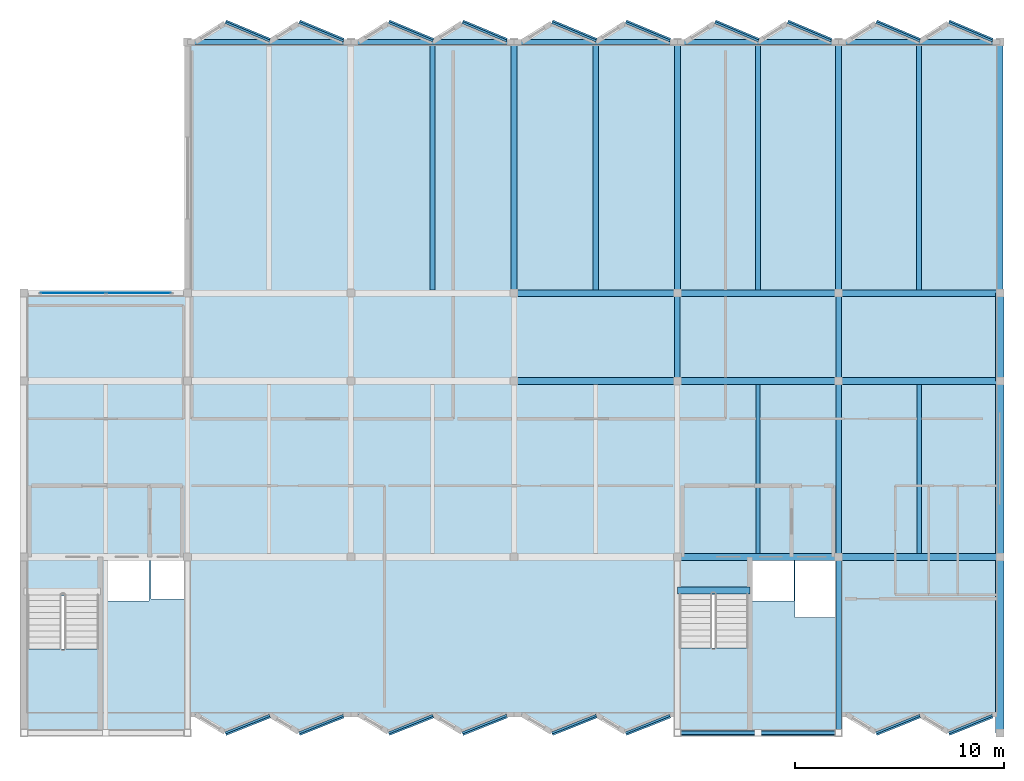
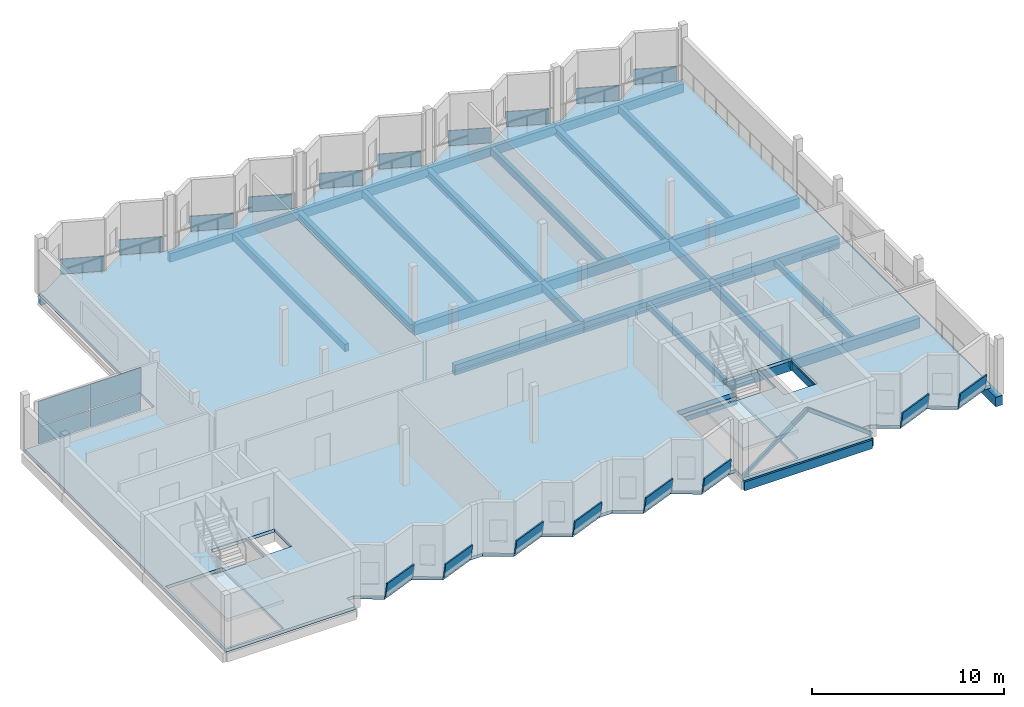
# One storey, part 3 of 11: 32 beams, 22 plates, 3 slabs, 2 members, 3 elements without a shape of their own.
"""IFC4 building model written with IfcOpenShell, lengths in metres."""

import ifcopenshell
import ifcopenshell.guid

model = None  # the IFC model being written
_history = None  # IfcOwnerHistory: only IFC2X3 demands one
_inside = {}  # id of a spatial element -> (the spatial element, [elements in it])
_under = {}  # id of a project, library or spatial element -> (it, [spatial elements below it])
_declared = {}  # id of a project -> (the project, [libraries it declares])
_typed = {}  # id of a type object -> (the type object, [elements of that type])
_made_of = {}  # id of a material, layer set ... -> (it, [elements and type objects made of it])


def new_model(schema):
    """Start an empty IFC model of exactly this schema.

    Asked for "IFC4X3", IfcOpenShell would pick the latest addendum, in which some entities
    have other attributes; the version numbers below select the first issue.
    IFC2X3 requires an IfcOwnerHistory on every rooted entity: one is made here for all.
    """
    global model, _history
    if schema == "IFC4X3":
        model = ifcopenshell.file(schema_version=(4, 3, 0, 0))
    else:
        model = ifcopenshell.file(schema=schema)
    _inside.clear()
    _under.clear()
    _declared.clear()
    _typed.clear()
    _made_of.clear()
    _history = None
    if model.schema == "IFC2X3":
        org = make("IfcOrganization", Name="unknown")
        user = make(
            "IfcPersonAndOrganization",
            ThePerson=make("IfcPerson", FamilyName="unknown"),
            TheOrganization=org,
        )
        app = make(
            "IfcApplication",
            ApplicationDeveloper=org,
            Version="unknown",
            ApplicationFullName="unknown",
            ApplicationIdentifier="unknown",
        )
        _history = make(
            "IfcOwnerHistory",
            OwningUser=user,
            OwningApplication=app,
            ChangeAction="ADDED",
            CreationDate=0,
        )
    return model


def make(cls, **values):
    """One entity of the class cls with the attributes given. An attribute that is None is left unset."""
    return model.create_entity(
        cls, **{name: value for name, value in values.items() if value is not None}
    )


def rooted(cls, **values):
    """An entity with a GlobalId (a new one), such as an element, a storey or a relation."""
    return make(cls, GlobalId=ifcopenshell.guid.new(), OwnerHistory=_history, **values)


def si_unit(unit_type, name, prefix=None):
    """IfcSIUnit, for example si_unit("LENGTHUNIT", "METRE", prefix="MILLI")."""
    return make("IfcSIUnit", UnitType=unit_type, Prefix=prefix, Name=name)


def assignment(units):
    """IfcUnitAssignment: the units of a project."""
    return None if units is None else make("IfcUnitAssignment", Units=units)


def point(xyz):
    """IfcCartesianPoint."""
    return None if xyz is None else make("IfcCartesianPoint", Coordinates=xyz)


def direction(xyz):
    """IfcDirection."""
    return None if xyz is None else make("IfcDirection", DirectionRatios=xyz)


def frame(location, z_axis=None, x_axis=None):
    """IfcAxis2Placement3D, a coordinate frame: its origin and axes. An axis left out is left unset."""
    return make(
        "IfcAxis2Placement3D",
        Location=point(location),
        Axis=direction(z_axis),
        RefDirection=direction(x_axis),
    )


def frame_2d(location, x_axis=None):
    """IfcAxis2Placement2D, a coordinate frame in the plane: its origin and x axis."""
    return make(
        "IfcAxis2Placement2D", Location=point(location), RefDirection=direction(x_axis)
    )


def origin():
    """The frame at (0, 0, 0) with its axes left unset."""
    return frame((0.0, 0.0, 0.0))


def origin_2d():
    """The frame at (0, 0) in the plane with its x axis left unset."""
    return frame_2d((0.0, 0.0))


def place(relative_to, where):
    """IfcLocalPlacement: puts the frame where relative to a parent placement (None: the world)."""
    return make(
        "IfcLocalPlacement", PlacementRelTo=relative_to, RelativePlacement=where
    )


def context(
    kind, dimensions, precision=None, world=None, true_north=None, identifier=None
):
    """IfcGeometricRepresentationContext, for example the 3D "Model" context."""
    return make(
        "IfcGeometricRepresentationContext",
        ContextIdentifier=identifier,
        ContextType=kind,
        CoordinateSpaceDimension=dimensions,
        Precision=precision,
        WorldCoordinateSystem=world,
        TrueNorth=true_north,
    )


def subcontext(parent, identifier, kind, view, scale=None):
    """IfcGeometricRepresentationSubContext, for example "Body" below "Model"."""
    return make(
        "IfcGeometricRepresentationSubContext",
        ContextIdentifier=identifier,
        ContextType=kind,
        ParentContext=parent,
        TargetScale=scale,
        TargetView=view,
    )


def project(units=None, contexts=None):
    """IfcProject with its units and contexts."""
    return rooted(
        "IfcProject",
        Name="project",
        RepresentationContexts=contexts,
        UnitsInContext=assignment(units),
    )


def spatial(cls, under=None, at=None, **own):
    """A site, building, storey or space (cls), placed at a placement, below another one or the project."""
    s = rooted(cls, ObjectPlacement=at, **own)
    if under is not None:
        _under.setdefault(under.id(), (under, []))[1].append(s)
    return s


def polyline(points):
    """IfcPolyline through the points."""
    return make("IfcPolyline", Points=[point(p) for p in points])


def profile(cls, at=None, kind="AREA", **sizes):
    """A parametric profile (cls). Its sizes go by their IFC names, for example OverallWidth=200.0."""
    return make(cls, ProfileType=kind, Position=at, **sizes)


def rectangle(**sizes):
    """IfcRectangleProfileDef."""
    return profile("IfcRectangleProfileDef", **sizes)


def hollow_rectangle(**sizes):
    """IfcRectangleHollowProfileDef."""
    return profile("IfcRectangleHollowProfileDef", **sizes)


def i_section(**sizes):
    """IfcIShapeProfileDef."""
    return profile("IfcIShapeProfileDef", **sizes)


def outline(outer, holes=None, kind="AREA"):
    """IfcArbitraryClosedProfileDef: a profile drawn as a closed curve; with holes, ...WithVoids."""
    if holes is None:
        return make("IfcArbitraryClosedProfileDef", ProfileType=kind, OuterCurve=outer)
    return make(
        "IfcArbitraryProfileDefWithVoids",
        ProfileType=kind,
        OuterCurve=outer,
        InnerCurves=holes,
    )


def extrude(swept, where, along, depth):
    """IfcExtrudedAreaSolid: the profile swept, set in the frame where, extruded along a direction by depth."""
    return make(
        "IfcExtrudedAreaSolid",
        SweptArea=swept,
        Position=where,
        ExtrudedDirection=direction(along),
        Depth=depth,
    )


def shape(context_of_items, identifier, shape_type, items):
    """IfcShapeRepresentation: the items that make up one representation, for example the "Body"."""
    return make(
        "IfcShapeRepresentation",
        ContextOfItems=context_of_items,
        RepresentationIdentifier=identifier,
        RepresentationType=shape_type,
        Items=items,
    )


def material(Name=None, Category=None):
    """IfcMaterial."""
    return make("IfcMaterial", Name=Name, Category=Category)


def layer(
    of_material, thickness, ventilated=None, Name=None, Category=None, Priority=None
):
    """IfcMaterialLayer: one layer of a wall or slab, of a material (None: an air gap)."""
    return make(
        "IfcMaterialLayer",
        Material=of_material,
        LayerThickness=thickness,
        IsVentilated=ventilated,
        Name=Name,
        Category=Category,
        Priority=Priority,
    )


def layer_set(layers, Name=None):
    """IfcMaterialLayerSet."""
    return make("IfcMaterialLayerSet", MaterialLayers=layers, LayerSetName=Name)


def material_profile(
    of_material, cross_section, Name=None, Category=None, Priority=None
):
    """IfcMaterialProfile: a cross section and its material."""
    return make(
        "IfcMaterialProfile",
        Name=Name,
        Material=of_material,
        Profile=cross_section,
        Priority=Priority,
        Category=Category,
    )


def profile_set(profiles, Name=None, composite=None):
    """IfcMaterialProfileSet."""
    return make(
        "IfcMaterialProfileSet",
        Name=Name,
        MaterialProfiles=profiles,
        CompositeProfile=composite,
    )


def made_of(thing, what):
    """Note that an element or type object is made of a material, layer set ...; save() writes the relation."""
    if what is not None:
        _made_of.setdefault(what.id(), (what, []))[1].append(thing)
    return thing


def type_object(cls, material=None, **own):
    """A type object (cls), such as IfcWallType, which elements share."""
    return made_of(rooted(cls, **own), material)


def element(
    cls,
    number,
    at=None,
    inside=None,
    cuts=None,
    type_object=None,
    material=None,
    context=None,
    identifier="Body",
    shape_type=None,
    held_by="IfcProductDefinitionShape",
    body=None,
    shapes=None,
    **own,
):
    """One element of the class cls, such as IfcWall. Its Tag is "e" and its number.

    at: its placement. inside: the storey or other place that contains it. cuts: it is an
    opening in that element (IfcRelVoidsElement). A single representation is given by context,
    identifier, shape_type and body (its items); several are given by shapes. held_by: the class
    of the entity that holds the representations. save() writes the other relations.
    """
    e = rooted(cls, Tag="e%d" % number, ObjectPlacement=at, **own)
    if body is not None:
        shapes = [shape(context, identifier, shape_type, body)]
    if shapes is not None:
        e.Representation = make(held_by, Representations=shapes)
    if inside is not None:
        _inside.setdefault(inside.id(), (inside, []))[1].append(e)
    if cuts is not None:
        rooted(
            "IfcRelVoidsElement", RelatingBuildingElement=cuts, RelatedOpeningElement=e
        )
    if type_object is not None:
        _typed.setdefault(type_object.id(), (type_object, []))[1].append(e)
    return made_of(e, material)


def aggregate(whole, parts):
    """IfcRelAggregates: a whole, such as a stair, and the parts it consists of."""
    return rooted("IfcRelAggregates", RelatingObject=whole, RelatedObjects=parts)


def save(model, path):
    """Write the relations noted so far, then the file.

    IfcRelAggregates (storeys below a building ...), IfcRelContainedInSpatialStructure (elements
    in a storey), IfcRelDefinesByType, IfcRelAssociatesMaterial and IfcRelDeclares: one each for
    every whole, place, type object, material and project.
    """
    for whole, parts in _under.values():
        aggregate(whole, parts)
    for where, things in _inside.values():
        rooted(
            "IfcRelContainedInSpatialStructure",
            RelatedElements=things,
            RelatingStructure=where,
        )
    for kind, things in _typed.values():
        rooted("IfcRelDefinesByType", RelatedObjects=things, RelatingType=kind)
    for what, things in _made_of.values():
        rooted("IfcRelAssociatesMaterial", RelatedObjects=things, RelatingMaterial=what)
    for by, libraries in _declared.values():
        rooted("IfcRelDeclares", RelatingContext=by, RelatedDefinitions=libraries)
    model.write(path)


model = new_model("IFC4")

# Units and contexts
model_context = context("Model", 3, precision=1e-05, world=origin(), true_north=direction((0.0, 1.0)))
body_context = subcontext(model_context, "Body", "Model", "MODEL_VIEW")
ifc_project = project(units=[si_unit("LENGTHUNIT", "METRE"), si_unit("AREAUNIT", "SQUARE_METRE"), si_unit("VOLUMEUNIT", "CUBIC_METRE"), si_unit("PLANEANGLEUNIT", "RADIAN"), si_unit("MASSUNIT", "GRAM", prefix="KILO")], contexts=[model_context])

# Site, building, storey
site_placement = place(None, origin())
site = spatial("IfcSite", under=ifc_project, at=site_placement, CompositionType="ELEMENT")
building_placement = place(site_placement, origin())
building = spatial("IfcBuilding", under=site, at=building_placement, Name="Vharandega Faculty of Natural Sciences", CompositionType="ELEMENT")
storey_placement = place(building_placement, frame((0.0, 0.0, 36.0)))
storey = spatial("IfcBuildingStorey", under=building, at=storey_placement, Name="L09", CompositionType="ELEMENT", Elevation=36.0)

# Beams
ifc_material_1 = material(Name="Glulam GL28h", Category="wood")
ifc_material_profile_1 = material_profile(ifc_material_1, rectangle(XDim=0.260009765625, YDim=0.52001953125, at=origin_2d()), Name="GL28h 260x520")
ifc_profile_set_1 = profile_set([ifc_material_profile_1], Name="Glulam GL28h")
beam_type_1 = type_object("IfcBeamType", Name="Glulam Floor Beam 260x520", PredefinedType="BEAM", material=ifc_profile_set_1)
beam_1_placement = place(storey_placement, frame((146.0, 80.800048828125, -0.4599609375), z_axis=(0.0, 1.0, 0.0), x_axis=(-1.0, 0.0, 0.0)))
element("IfcBeam", 1, at=beam_1_placement, inside=storey, type_object=beam_type_1, Name="Beam L09 19/L-M", PredefinedType="BEAM", context=body_context, shape_type="SweptSolid", body=[
    extrude(rectangle(XDim=0.260009765625, YDim=0.52001953125, at=origin_2d()), origin(), (0.0, 0.0, 1.0), 4.199951171875),
])
beam_2_placement = place(storey_placement, frame((153.699951171875, 64.0, -0.4599609375), z_axis=(0.0, 1.0, 0.0), x_axis=(-1.0, 0.0, 0.0)))
element("IfcBeam", 2, at=beam_2_placement, inside=storey, type_object=beam_type_1, Name="Beam L09 20/J-K", PredefinedType="BEAM", context=body_context, shape_type="SweptSolid", body=[
    extrude(rectangle(XDim=0.260009765625, YDim=0.52001953125, at=origin_2d()), origin(), (0.0, 0.0, 1.0), 8.39990234375),
])
beam_3_placement = place(storey_placement, frame((153.699951171875, 72.39990234375, -0.4599609375), z_axis=(0.0, 1.0, 0.0), x_axis=(-1.0, 0.0, 0.0)))
element("IfcBeam", 3, at=beam_3_placement, inside=storey, type_object=beam_type_1, Name="Beam L09 20/K-L", PredefinedType="BEAM", context=body_context, shape_type="SweptSolid", body=[
    extrude(rectangle(XDim=0.260009765625, YDim=0.52001953125, at=origin_2d()), origin(), (0.0, 0.0, 1.0), 8.400146484375),
])
beam_4_placement = place(storey_placement, frame((153.699951171875, 80.800048828125, -0.4599609375), z_axis=(0.0, 1.0, 0.0), x_axis=(-1.0, 0.0, 0.0)))
element("IfcBeam", 4, at=beam_4_placement, inside=storey, type_object=beam_type_1, Name="Beam L09 20/L-M", PredefinedType="BEAM", context=body_context, shape_type="SweptSolid", body=[
    extrude(rectangle(XDim=0.260009765625, YDim=0.52001953125, at=origin_2d()), origin(), (0.0, 0.0, 1.0), 4.199951171875),
])
ifc_material_2 = material(Name="Glulam GL28h", Category="wood")
ifc_material_profile_2 = material_profile(ifc_material_2, rectangle(XDim=0.320068359375, YDim=0.639892578125, at=origin_2d()), Name="GL28h 320x640")
ifc_profile_set_2 = profile_set([ifc_material_profile_2], Name="Glulam GL28h")
beam_type_2 = type_object("IfcBeamType", Name="Glulam Floor Beam 320x640", PredefinedType="BEAM", material=ifc_profile_set_2)
for number, where, z_axis, x_axis, name in (
    (5, (146.0, 72.39990234375, -0.52001953125), (1.0, 0.0, 0.0), (0.0, 1.0, 0.0), "Beam L09 K/19-20"),
    (6, (153.699951171875, 72.39990234375, -0.52001953125), (1.0, 0.0, 0.0), (0.0, 1.0, 0.0), "Beam L09 K/20-21"),
):
    element("IfcBeam", number, at=place(storey_placement, frame(where, z_axis=z_axis, x_axis=x_axis)), inside=storey, type_object=beam_type_2, Name=name, PredefinedType="BEAM", context=body_context, shape_type="SweptSolid", body=[
        extrude(rectangle(XDim=0.320068359375, YDim=0.639892578125, at=origin_2d()), origin(), (0.0, 0.0, 1.0), 7.699951171875),
    ])
beam_5_placement = place(storey_placement, frame((138.199951171875, 80.800048828125, -0.52001953125), z_axis=(1.0, 0.0, 0.0), x_axis=(0.0, 1.0, 0.0)))
element("IfcBeam", 7, at=beam_5_placement, inside=storey, type_object=beam_type_2, Name="Beam L09 L/18-19", PredefinedType="BEAM", context=body_context, shape_type="SweptSolid", body=[
    extrude(rectangle(XDim=0.320068359375, YDim=0.639892578125, at=origin_2d()), origin(), (0.0, 0.0, 1.0), 7.800048828125),
])
for number, where, z_axis, x_axis, name in (
    (8, (146.0, 80.800048828125, -0.52001953125), (1.0, 0.0, 0.0), (0.0, 1.0, 0.0), "Beam L09 L/19-20"),
    (9, (153.699951171875, 80.800048828125, -0.52001953125), (1.0, 0.0, 0.0), (0.0, 1.0, 0.0), "Beam L09 L/20-21"),
):
    element("IfcBeam", number, at=place(storey_placement, frame(where, z_axis=z_axis, x_axis=x_axis)), inside=storey, type_object=beam_type_2, Name=name, PredefinedType="BEAM", context=body_context, shape_type="SweptSolid", body=[
        extrude(rectangle(XDim=0.320068359375, YDim=0.639892578125, at=origin_2d()), origin(), (0.0, 0.0, 1.0), 7.699951171875),
    ])
beam_6_placement = place(storey_placement, frame((138.199951171875, 85.0, -0.52001953125), z_axis=(1.0, 0.0, 0.0), x_axis=(0.0, 1.0, 0.0)))
element("IfcBeam", 10, at=beam_6_placement, inside=storey, type_object=beam_type_2, Name="Beam L09 M/18-19", PredefinedType="BEAM", context=body_context, shape_type="SweptSolid", body=[
    extrude(rectangle(XDim=0.320068359375, YDim=0.639892578125, at=origin_2d()), origin(), (0.0, 0.0, 1.0), 7.800048828125),
])
for number, where, z_axis, x_axis, name in (
    (11, (146.0, 85.0, -0.52001953125), (1.0, 0.0, 0.0), (0.0, 1.0, 0.0), "Beam L09 M/19-20"),
    (12, (153.699951171875, 85.0, -0.52001953125), (1.0, 0.0, 0.0), (0.0, 1.0, 0.0), "Beam L09 M/20-21"),
):
    element("IfcBeam", number, at=place(storey_placement, frame(where, z_axis=z_axis, x_axis=x_axis)), inside=storey, type_object=beam_type_2, Name=name, PredefinedType="BEAM", context=body_context, shape_type="SweptSolid", body=[
        extrude(rectangle(XDim=0.320068359375, YDim=0.639892578125, at=origin_2d()), origin(), (0.0, 0.0, 1.0), 7.699951171875),
    ])
ifc_material_3 = material(Name="Glulam GL28h", Category="wood")
ifc_material_profile_3 = material_profile(ifc_material_3, rectangle(XDim=0.199951171875, YDim=0.39990234375, at=origin_2d()), Name="GL28h 200x400")
ifc_profile_set_3 = profile_set([ifc_material_profile_3], Name="Glulam GL28h")
beam_type_3 = type_object("IfcBeamType", Name="Glulam Secondary Joist 200x400", PredefinedType="JOIST", material=ifc_profile_set_3)
for number, where, z_axis, x_axis, name in (
    (13, (149.85009765625, 72.56005859375, -0.39990234375), (0.0, 1.0, 0.0), (-1.0, 0.0, 0.0), "Secondary Joist L09 19-20/K-L"),
    (14, (157.550048828125, 72.56005859375, -0.39990234375), (0.0, 1.0, 0.0), (-1.0, 0.0, 0.0), "Secondary Joist L09 20-21/K-L"),
):
    element("IfcBeam", number, at=place(storey_placement, frame(where, z_axis=z_axis, x_axis=x_axis)), inside=storey, type_object=beam_type_3, Name=name, PredefinedType="JOIST", context=body_context, shape_type="SweptSolid", body=[
        extrude(rectangle(XDim=0.199951171875, YDim=0.39990234375, at=origin_2d()), origin(), (0.0, 0.0, 1.0), 8.079833984375),
    ])
ifc_material_4 = material(Name="Glulam GL28h", Category="wood")
ifc_material_profile_4 = material_profile(ifc_material_4, rectangle(XDim=0.239990234375, YDim=0.47998046875, at=origin_2d()), Name="GL28h 240x480")
ifc_profile_set_4 = profile_set([ifc_material_profile_4], Name="Glulam GL28h")
beam_type_4 = type_object("IfcBeamType", Name="Glulam Secondary Joist 240x480", PredefinedType="JOIST", material=ifc_profile_set_4)
for number, where, z_axis, x_axis, name in (
    (15, (134.300048828125, 85.159912109375, -0.43994140625), (0.0, 1.0, 0.0), (-1.0, 0.0, 0.0), "Secondary Joist L09 17-18/M-N"),
    (16, (142.10009765625, 85.159912109375, -0.43994140625), (0.0, 1.0, 0.0), (-1.0, 0.0, 0.0), "Secondary Joist L09 18-19/M-N"),
    (17, (149.85009765625, 85.159912109375, -0.43994140625), (0.0, 1.0, 0.0), (-1.0, 0.0, 0.0), "Secondary Joist L09 19-20/M-N"),
    (18, (157.550048828125, 85.159912109375, -0.43994140625), (0.0, 1.0, 0.0), (-1.0, 0.0, 0.0), "Secondary Joist L09 20-21/M-N"),
):
    element("IfcBeam", number, at=place(storey_placement, frame(where, z_axis=z_axis, x_axis=x_axis)), inside=storey, type_object=beam_type_4, Name=name, PredefinedType="JOIST", context=body_context, shape_type="SweptSolid", body=[
        extrude(rectangle(XDim=0.239990234375, YDim=0.47998046875, at=origin_2d()), origin(), (0.0, 0.0, 1.0), 11.719970703125),
    ])
ifc_material_5 = material(Name="Glulam GL28h", Category="wood")
ifc_material_profile_5 = material_profile(ifc_material_5, rectangle(XDim=0.239990234375, YDim=0.56005859375, at=origin_2d()), Name="GL28h 240x560")
ifc_profile_set_5 = profile_set([ifc_material_profile_5], Name="Glulam GL28h")
beam_type_5 = type_object("IfcBeamType", Name="Glulam Spandrel Edge Beam 240x560", PredefinedType="SPANDREL", material=ifc_profile_set_5)
beam_7_placement = place(storey_placement, frame((146.0, 64.0, -0.47998046875), z_axis=(1.0, 0.0, 0.0), x_axis=(0.0, 1.0, 0.0)))
element("IfcBeam", 19, at=beam_7_placement, inside=storey, type_object=beam_type_5, Name="Beam L09 J/19-20", PredefinedType="SPANDREL", context=body_context, shape_type="SweptSolid", body=[
    extrude(rectangle(XDim=0.239990234375, YDim=0.56005859375, at=origin_2d()), origin(), (0.0, 0.0, 1.0), 7.699951171875),
])
beam_8_placement = place(storey_placement, frame((122.60009765625, 97.0, -0.47998046875), z_axis=(1.0, 0.0, 0.0), x_axis=(0.0, 1.0, 0.0)))
element("IfcBeam", 20, at=beam_8_placement, inside=storey, type_object=beam_type_5, Name="Beam L09 N/16-17", PredefinedType="SPANDREL", context=body_context, shape_type="SweptSolid", body=[
    extrude(rectangle(XDim=0.239990234375, YDim=0.56005859375, at=origin_2d()), origin(), (0.0, 0.0, 1.0), 7.7998046875),
])
for number, where, z_axis, x_axis, name in (
    (21, (130.39990234375, 97.0, -0.47998046875), (1.0, 0.0, 0.0), (0.0, 1.0, 0.0), "Beam L09 N/17-18"),
    (22, (138.199951171875, 97.0, -0.47998046875), (1.0, 0.0, 0.0), (0.0, 1.0, 0.0), "Beam L09 N/18-19"),
):
    element("IfcBeam", number, at=place(storey_placement, frame(where, z_axis=z_axis, x_axis=x_axis)), inside=storey, type_object=beam_type_5, Name=name, PredefinedType="SPANDREL", context=body_context, shape_type="SweptSolid", body=[
        extrude(rectangle(XDim=0.239990234375, YDim=0.56005859375, at=origin_2d()), origin(), (0.0, 0.0, 1.0), 7.800048828125),
    ])
for number, where, z_axis, x_axis, name in (
    (23, (146.0, 97.0, -0.47998046875), (1.0, 0.0, 0.0), (0.0, 1.0, 0.0), "Beam L09 N/19-20"),
    (24, (153.699951171875, 97.0, -0.47998046875), (1.0, 0.0, 0.0), (0.0, 1.0, 0.0), "Beam L09 N/20-21"),
):
    element("IfcBeam", number, at=place(storey_placement, frame(where, z_axis=z_axis, x_axis=x_axis)), inside=storey, type_object=beam_type_5, Name=name, PredefinedType="SPANDREL", context=body_context, shape_type="SweptSolid", body=[
        extrude(rectangle(XDim=0.239990234375, YDim=0.56005859375, at=origin_2d()), origin(), (0.0, 0.0, 1.0), 7.699951171875),
    ])
ifc_material_6 = material(Name="Glulam GL32h", Category="wood")
ifc_material_profile_6 = material_profile(ifc_material_6, rectangle(XDim=0.39990234375, YDim=0.60009765625, at=origin_2d()), Name="GL32h 400x600")
ifc_profile_set_6 = profile_set([ifc_material_profile_6], Name="Glulam GL32h")
beam_type_6 = type_object("IfcBeamType", Name="Glulam Spine Girder 400x600", PredefinedType="BEAM", material=ifc_profile_set_6)
beam_9_placement = place(storey_placement, frame((161.39990234375, 64.0, -0.5), z_axis=(0.0, 1.0, 0.0), x_axis=(-1.0, 0.0, 0.0)))
element("IfcBeam", 25, at=beam_9_placement, inside=storey, type_object=beam_type_6, Name="Beam L09 21/J-K", PredefinedType="BEAM", context=body_context, shape_type="SweptSolid", body=[
    extrude(rectangle(XDim=0.39990234375, YDim=0.60009765625, at=origin_2d()), origin(), (0.0, 0.0, 1.0), 8.39990234375),
])
beam_10_placement = place(storey_placement, frame((161.39990234375, 72.39990234375, -0.5), z_axis=(0.0, 1.0, 0.0), x_axis=(-1.0, 0.0, 0.0)))
element("IfcBeam", 26, at=beam_10_placement, inside=storey, type_object=beam_type_6, Name="Beam L09 21/K-L", PredefinedType="BEAM", context=body_context, shape_type="SweptSolid", body=[
    extrude(rectangle(XDim=0.39990234375, YDim=0.60009765625, at=origin_2d()), origin(), (0.0, 0.0, 1.0), 8.400146484375),
])
beam_11_placement = place(storey_placement, frame((161.39990234375, 80.800048828125, -0.5), z_axis=(0.0, 1.0, 0.0), x_axis=(-1.0, 0.0, 0.0)))
element("IfcBeam", 27, at=beam_11_placement, inside=storey, type_object=beam_type_6, Name="Beam L09 21/L-M", PredefinedType="BEAM", context=body_context, shape_type="SweptSolid", body=[
    extrude(rectangle(XDim=0.39990234375, YDim=0.60009765625, at=origin_2d()), origin(), (0.0, 0.0, 1.0), 4.199951171875),
])
ifc_material_7 = material(Name="Concrete C40/50", Category="concrete")
ifc_material_profile_7 = material_profile(ifc_material_7, rectangle(XDim=0.35009765625, YDim=0.550048828125, at=origin_2d()), Name="RC 350x550")
ifc_profile_set_7 = profile_set([ifc_material_profile_7], Name="Concrete C40/50")
beam_type_7 = type_object("IfcBeamType", Name="Stair Header Trimmer Beam 350x550", PredefinedType="BEAM", material=ifc_profile_set_7)
beam_12_placement = place(storey_placement, frame((146.0, 70.800048828125, -0.27490234375), z_axis=(1.0, 0.0, 0.0), x_axis=(0.0, 1.0, 0.0)))
element("IfcBeam", 28, at=beam_12_placement, inside=storey, type_object=beam_type_7, Name="Stair Landing Trimmer Beam C2 L09", PredefinedType="BEAM", context=body_context, shape_type="SweptSolid", body=[
    extrude(rectangle(XDim=0.35009765625, YDim=0.550048828125, at=origin_2d()), origin(), (0.0, 0.0, 1.0), 3.4599609375),
])
ifc_material_8 = material(Name="Steel S355", Category="steel")
ifc_material_profile_8 = material_profile(ifc_material_8, i_section(OverallWidth=0.300048828125, OverallDepth=0.5, WebThickness=0.014404296875, FlangeThickness=0.028076171875, FilletRadius=0.027099609375, at=origin_2d()), Name="HEB 500")
ifc_profile_set_8 = profile_set([ifc_material_profile_8], Name="Steel S355")
beam_type_8 = type_object("IfcBeamType", Name="Steel Collector Beam HEB 500", PredefinedType="BEAM", material=ifc_profile_set_8)
for number, where, z_axis, x_axis, name in (
    (29, (138.199951171875, 85.0, -0.449951171875), (0.0, 1.0, 0.0), (-1.0, 0.0, 0.0), "Beam L09 18/M-N"),
    (30, (146.0, 85.0, -0.449951171875), (0.0, 1.0, 0.0), (-1.0, 0.0, 0.0), "Beam L09 19/M-N"),
    (31, (153.699951171875, 85.0, -0.449951171875), (0.0, 1.0, 0.0), (-1.0, 0.0, 0.0), "Beam L09 20/M-N"),
    (32, (161.39990234375, 85.0, -0.449951171875), (0.0, 1.0, 0.0), (-1.0, 0.0, 0.0), "Beam L09 21/M-N"),
):
    element("IfcBeam", number, at=place(storey_placement, frame(where, z_axis=z_axis, x_axis=x_axis)), inside=storey, type_object=beam_type_8, Name=name, PredefinedType="BEAM", context=body_context, shape_type="SweptSolid", body=[
        extrude(i_section(OverallWidth=0.300048828125, OverallDepth=0.5, WebThickness=0.014404296875, FlangeThickness=0.028076171875, FilletRadius=0.027099609375, at=origin_2d()), origin(), (0.0, 0.0, 1.0), 12.0),
    ])

# Members
ifc_material_9 = material(Name="Steel S355", Category="steel")
ifc_material_profile_9 = material_profile(ifc_material_9, hollow_rectangle(XDim=0.179931640625, YDim=0.179931640625, WallThickness=0.010009765625, at=origin_2d()), Name="SHS 180x180x10")
ifc_profile_set_9 = profile_set([ifc_material_profile_9], Name="Steel S355")
member_type = type_object("IfcMemberType", Name="Timber Frame Diagonal Brace SHS 180", PredefinedType="BRACE", material=ifc_profile_set_9)
for number, where, z_axis, x_axis, name in (
    (33, (146.0, 64.0, 0.14990234375), (0.798746196902, 0.0, 0.601668108624), (0.0, 1.0, 0.0), "Chevron Brace J2 L09-1"),
    (34, (153.699951171875, 64.0, 0.14990234375), (-0.798727860359, 0.0, 0.601692450581), (0.0, -1.0, 0.0), "Chevron Brace J2 L09-2"),
):
    element("IfcMember", number, at=place(storey_placement, frame(where, z_axis=z_axis, x_axis=x_axis)), inside=storey, type_object=member_type, Name=name, PredefinedType="BRACE", context=body_context, shape_type="SweptSolid", body=[
        extrude(hollow_rectangle(XDim=0.179931640625, YDim=0.179931640625, WallThickness=0.010009765625, at=origin_2d()), origin(), (0.0, 0.0, 1.0), 4.820068359375),
    ])

# Curtain wall, plates
ifc_material_10 = material(Name="Aluminium and solar-control glass curtain wall", Category="aluminium")
curtain_wall_type = type_object("IfcCurtainWallType", Name="Unitised Curtain Wall System CW-03", PredefinedType="NOTDEFINED", material=ifc_material_10)
curtain_wall_placement = place(storey_placement, origin())
curtain_wall = element("IfcCurtainWall", 35, at=curtain_wall_placement, inside=storey, type_object=curtain_wall_type, Name="Curtain Wall CW-L09-030", PredefinedType="NOTDEFINED")
ifc_material_11 = material(Name="Double-glazed low-E solar glass", Category="glass")
ifc_layer_1 = layer(ifc_material_11, 0.028076171875, Name="Double-glazed low-E solar glass")
ifc_layer_set_1 = layer_set([ifc_layer_1], Name="Double-glazed low-E solar glass")
plate_type_1 = type_object("IfcPlateType", Name="CW Solar Vision Panel 28mm", PredefinedType="CURTAIN_PANEL", material=ifc_layer_set_1)
plate_1_placement = place(storey_placement, frame((117.135009765625, 85.0, 0.06005859375), z_axis=(0.0, 0.0, 1.0), x_axis=(1.0, 0.0, 0.0)))
plate_1 = element("IfcPlate", 36, at=plate_1_placement, type_object=plate_type_1, Name="CW-03 panel 1.1", PredefinedType="CURTAIN_PANEL", context=body_context, shape_type="SweptSolid", body=[
    extrude(rectangle(XDim=3.070068359375, YDim=0.028076171875, at=origin_2d()), origin(), (0.0, 0.0, 1.0), 1.102783203125),
])
plate_2_placement = place(storey_placement, frame((117.135009765625, 85.0, 1.222900390625), z_axis=(0.0, 0.0, 1.0), x_axis=(1.0, 0.0, 0.0)))
plate_2 = element("IfcPlate", 37, at=plate_2_placement, type_object=plate_type_1, Name="CW-03 panel 1.2", PredefinedType="CURTAIN_PANEL", context=body_context, shape_type="SweptSolid", body=[
    extrude(rectangle(XDim=3.070068359375, YDim=0.028076171875, at=origin_2d()), origin(), (0.0, 0.0, 1.0), 1.55712890625),
])
plate_3_placement = place(storey_placement, frame((120.264892578125, 85.0, 0.06005859375), z_axis=(0.0, 0.0, 1.0), x_axis=(1.0, 0.0, 0.0)))
plate_3 = element("IfcPlate", 38, at=plate_3_placement, type_object=plate_type_1, Name="CW-03 panel 2.1", PredefinedType="CURTAIN_PANEL", context=body_context, shape_type="SweptSolid", body=[
    extrude(rectangle(XDim=3.070068359375, YDim=0.028076171875, at=origin_2d()), origin(), (0.0, 0.0, 1.0), 1.102783203125),
])
plate_4_placement = place(storey_placement, frame((120.264892578125, 85.0, 1.222900390625), z_axis=(0.0, 0.0, 1.0), x_axis=(1.0, 0.0, 0.0)))
plate_4 = element("IfcPlate", 39, at=plate_4_placement, type_object=plate_type_1, Name="CW-03 panel 2.2", PredefinedType="CURTAIN_PANEL", context=body_context, shape_type="SweptSolid", body=[
    extrude(rectangle(XDim=3.070068359375, YDim=0.028076171875, at=origin_2d()), origin(), (0.0, 0.0, 1.0), 1.55712890625),
])
aggregate(curtain_wall, [plate_1, plate_2, plate_3, plate_4])

# Slab
ifc_material_12 = material(Name="Cross-laminated timber CLT5-180", Category="wood")
ifc_layer_2 = layer(ifc_material_12, 0.199951171875, Name="Cross-laminated timber CLT5-180")
ifc_layer_set_2 = layer_set([ifc_layer_2], Name="Cross-laminated timber CLT5-180")
slab_type_1 = type_object("IfcSlabType", Name="SLAB-CLT-200", PredefinedType="FLOOR", material=ifc_layer_set_2)
slab_1_placement = place(storey_placement, frame((0.0, 0.0, -0.199951171875)))
element("IfcSlab", 40, at=slab_1_placement, inside=storey, type_object=slab_type_1, Name="L09 V4 Floor Slab", PredefinedType="FLOOR", context=body_context, shape_type="SweptSolid", body=[
    extrude(outline(polyline([(114.800048828125, 64.0), (122.60009765625, 64.0), (122.60009765625, 64.8798828125), (122.97998046875, 64.8798828125), (124.387939453125, 64.0400390625), (126.5, 64.8798828125), (126.5, 64.8798828125), (127.907958984375, 64.0400390625), (130.02001953125, 64.8798828125), (130.780029296875, 64.8798828125), (132.18798828125, 64.0400390625), (134.300048828125, 64.8798828125), (134.300048828125, 64.8798828125), (135.7080078125, 64.0400390625), (137.820068359375, 64.8798828125), (138.580078125, 64.8798828125), (139.988037109375, 64.0400390625), (142.10009765625, 64.8798828125), (142.10009765625, 64.8798828125), (143.508056640625, 64.0400390625), (145.6201171875, 64.8798828125), (146.0, 64.8798828125), (146.0, 64.0), (153.699951171875, 64.0), (153.699951171875, 64.8798828125), (154.080078125, 64.8798828125), (155.468017578125, 64.0400390625), (157.550048828125, 64.8798828125), (157.550048828125, 64.8798828125), (158.93798828125, 64.0400390625), (161.02001953125, 64.8798828125), (161.39990234375, 64.8798828125), (161.39990234375, 64.0), (161.39990234375, 97.0), (161.02001953125, 97.0), (158.93798828125, 97.8798828125), (157.550048828125, 97.0), (157.550048828125, 97.0), (155.468017578125, 97.8798828125), (154.080078125, 97.0), (153.320068359375, 97.0), (151.238037109375, 97.8798828125), (149.85009765625, 97.0), (149.85009765625, 97.0), (147.76806640625, 97.8798828125), (146.3798828125, 97.0), (145.6201171875, 97.0), (143.508056640625, 97.8798828125), (142.10009765625, 97.0), (142.10009765625, 97.0), (139.988037109375, 97.8798828125), (138.580078125, 97.0), (137.820068359375, 97.0), (135.7080078125, 97.8798828125), (134.300048828125, 97.0), (134.300048828125, 97.0), (132.18798828125, 97.8798828125), (130.780029296875, 97.0), (130.02001953125, 97.0), (127.907958984375, 97.8798828125), (126.5, 97.0), (126.5, 97.0), (124.387939453125, 97.8798828125), (122.97998046875, 97.0), (122.60009765625, 97.0), (122.60009765625, 85.0), (114.800048828125, 85.0), (114.800048828125, 64.0)]), holes=[polyline([(114.93994140625, 70.544921875), (114.93994140625, 64.139892578125), (118.360107421875, 64.139892578125), (118.360107421875, 70.544921875), (114.93994140625, 70.544921875)]), polyline([(118.64990234375, 70.300048828125), (120.75, 70.300048828125), (120.75, 72.219970703125), (118.64990234375, 72.219970703125), (118.64990234375, 70.300048828125)]), polyline([(120.85009765625, 70.39990234375), (122.47998046875, 70.39990234375), (122.47998046875, 72.219970703125), (120.85009765625, 72.219970703125), (120.85009765625, 70.39990234375)]), polyline([(146.06005859375, 70.594970703125), (146.06005859375, 64.139892578125), (149.3798828125, 64.139892578125), (149.3798828125, 70.594970703125), (146.06005859375, 70.594970703125)]), polyline([(149.449951171875, 70.300048828125), (151.570068359375, 70.300048828125), (151.570068359375, 72.219970703125), (149.449951171875, 72.219970703125), (149.449951171875, 70.300048828125)]), polyline([(151.6201171875, 69.5), (153.639892578125, 69.5), (153.639892578125, 72.219970703125), (151.6201171875, 72.219970703125), (151.6201171875, 69.5)])]), origin(), (0.0, 0.0, 1.0), 0.199951171875),
])

# Plates
ifc_material_13 = material(Name="White precast concrete C40/50", Category="concrete")
ifc_layer_3 = layer(ifc_material_13, 0.080078125, Name="White precast concrete C40/50")
ifc_layer_set_3 = layer_set([ifc_layer_3], Name="White precast concrete C40/50")
plate_type_2 = type_object("IfcPlateType", Name="Sawtooth Tilted White Precast Prism 80", PredefinedType="USERDEFINED", material=ifc_layer_set_3)
for number, where, z_axis, x_axis, name in (
    (41, (124.387939453125, 97.8798828125, 0.0), (-0.38213008843, -0.917133415176, 0.113326494182), (0.043508814605, 0.104641694763, 0.993557798404), "Sawtooth Tilted Precast Prism L09 N01"),
    (42, (127.907958984375, 97.8798828125, 0.0), (-0.38213008843, -0.917133415176, 0.113326494182), (0.043508814605, 0.104641694763, 0.993557798404), "Sawtooth Tilted Precast Prism L09 N02"),
    (43, (132.18798828125, 97.8798828125, 0.0), (-0.38213008843, -0.917133415176, 0.113326494182), (0.043508814605, 0.104641694763, 0.993557798404), "Sawtooth Tilted Precast Prism L09 N03"),
    (44, (135.7080078125, 97.8798828125, 0.0), (-0.38213008843, -0.917133415176, 0.113326494182), (0.043508814605, 0.104641694763, 0.993557798404), "Sawtooth Tilted Precast Prism L09 N04"),
    (45, (139.988037109375, 97.8798828125, 0.0), (-0.38213008843, -0.917133415176, 0.113326494182), (0.043508814605, 0.104641694763, 0.993557798404), "Sawtooth Tilted Precast Prism L09 N05"),
    (46, (143.508056640625, 97.8798828125, 0.0), (-0.38213008843, -0.917133415176, 0.113326494182), (0.043508814605, 0.104641694763, 0.993557798404), "Sawtooth Tilted Precast Prism L09 N06"),
):
    element("IfcPlate", number, at=place(storey_placement, frame(where, z_axis=z_axis, x_axis=x_axis)), inside=storey, type_object=plate_type_2, Name=name, ObjectType="FACADE PRISM", PredefinedType="USERDEFINED", context=body_context, shape_type="SweptSolid", body=[
        extrude(outline(polyline([(0.0, 0.0), (0.8856007183018657, -3.821812658011403e-18), (0.8853959930890345, -2.288104707577155), (-0.00017917792407083633, -2.2880108113294035), (0.0, 0.0)])), origin(), (0.0, 0.0, -1.0), 0.080078125),
    ])
plate_5_placement = place(storey_placement, frame((147.76806640625, 97.8798828125, 0.0), z_axis=(-0.386817749414, -0.915184288252, 0.113180154068), x_axis=(0.043784739317, 0.104368261997, 0.993574437317)))
element("IfcPlate", 47, at=plate_5_placement, inside=storey, type_object=plate_type_2, Name="Sawtooth Tilted Precast Prism L09 N07", ObjectType="FACADE PRISM", PredefinedType="USERDEFINED", context=body_context, shape_type="SweptSolid", body=[
    extrude(outline(polyline([(0.0, 0.0), (0.8855858439795705, -2.168404344971009e-19), (0.8848897190759801, -2.260415245596067), (-0.0006706443708762028, -2.2603202046314035), (0.0, 0.0)])), origin(), (0.0, 0.0, -1.0), 0.080078125),
])
plate_6_placement = place(storey_placement, frame((151.238037109375, 97.8798828125, 0.0), z_axis=(-0.386834642075, -0.915170595171, 0.113233128658), x_axis=(0.04403926033, 0.104318203212, 0.993568445568)))
element("IfcPlate", 48, at=plate_6_placement, inside=storey, type_object=plate_type_2, Name="Sawtooth Tilted Precast Prism L09 N08", ObjectType="FACADE PRISM", PredefinedType="USERDEFINED", context=body_context, shape_type="SweptSolid", body=[
    extrude(outline(polyline([(0.0, 0.0), (0.8855965718986443, -2.9205696021328276e-18), (0.8854636740121182, -2.2601904741535517), (-9.667780265362746e-05, -2.260320299228002), (0.0, 0.0)])), origin(), (0.0, 0.0, -1.0), 0.080078125),
])
for number, where, z_axis, x_axis, name in (
    (49, (155.468017578125, 97.8798828125, 0.0), (-0.386813048349, -0.915173165855, 0.113286107384), (0.044059889025, 0.104366999659, 0.993562406475), "Sawtooth Tilted Precast Prism L09 N09"),
    (50, (158.93798828125, 97.8798828125, 0.0), (-0.386813048349, -0.915173165855, 0.113286107384), (0.044059889025, 0.104366999659, 0.993562406475), "Sawtooth Tilted Precast Prism L09 N10"),
):
    element("IfcPlate", number, at=place(storey_placement, frame(where, z_axis=z_axis, x_axis=x_axis)), inside=storey, type_object=plate_type_2, Name=name, ObjectType="FACADE PRISM", PredefinedType="USERDEFINED", context=body_context, shape_type="SweptSolid", body=[
        extrude(outline(polyline([(0.0, 0.0), (0.885596579114325, -4.126744519022951e-18), (0.8854744355192941, -2.260415349486517), (-9.666337050474871e-05, -2.2603203020557325), (0.0, 0.0)])), origin(), (0.0, 0.0, -1.0), 0.080078125),
    ])
for number, where, z_axis, x_axis, name in (
    (51, (126.5, 64.8798828125, 0.0), (-0.367171311911, 0.923237616435, 0.113214536648), (0.041951531837, -0.10515519478, 0.993570558132), "Sawtooth Tilted Precast Prism L09 S01"),
    (52, (130.02001953125, 64.8798828125, 0.0), (-0.367171311911, 0.923237616435, 0.113214536648), (0.041951531837, -0.10515519478, 0.993570558132), "Sawtooth Tilted Precast Prism L09 S02"),
    (53, (134.300048828125, 64.8798828125, 0.0), (-0.367171311911, 0.923237616435, 0.113214536648), (0.041951531837, -0.10515519478, 0.993570558132), "Sawtooth Tilted Precast Prism L09 S03"),
    (54, (137.820068359375, 64.8798828125, 0.0), (-0.367171311911, 0.923237616435, 0.113214536648), (0.041951531837, -0.10515519478, 0.993570558132), "Sawtooth Tilted Precast Prism L09 S04"),
    (55, (142.10009765625, 64.8798828125, 0.0), (-0.367171311911, 0.923237616435, 0.113214536648), (0.041951531837, -0.10515519478, 0.993570558132), "Sawtooth Tilted Precast Prism L09 S05"),
):
    element("IfcPlate", number, at=place(storey_placement, frame(where, z_axis=z_axis, x_axis=x_axis)), inside=storey, type_object=plate_type_2, Name=name, ObjectType="FACADE PRISM", PredefinedType="USERDEFINED", context=body_context, shape_type="SweptSolid", body=[
        extrude(outline(polyline([(0.0, 0.0), (0.8855637337790956, 5.339695699491109e-18), (0.8852991642756181, -2.2730040331997645), (-0.0002902421584531911, -2.2729138085590064), (0.0, 0.0)])), origin(), (0.0, 0.0, -1.0), 0.080078125),
    ])
plate_7_placement = place(storey_placement, frame((145.6201171875, 64.8798828125, 0.0), z_axis=(-0.367191753184, 0.923235652062, 0.113164248576), x_axis=(0.041694910845, -0.105203136477, 0.993576285187)))
element("IfcPlate", 56, at=plate_7_placement, inside=storey, type_object=plate_type_2, Name="Sawtooth Tilted Precast Prism L09 S06", ObjectType="FACADE PRISM", PredefinedType="USERDEFINED", context=body_context, shape_type="SweptSolid", body=[
    extrude(outline(polyline([(0.0, 0.0), (0.8855535298700004, 3.130633773051894e-18), (0.8858814141010081, -2.272777170195068), (0.00029202044992326925, -2.272913805666767), (0.0, 0.0)])), origin(), (0.0, 0.0, -1.0), 0.080078125),
])
plate_8_placement = place(storey_placement, frame((157.550048828125, 64.8798828125, 0.0), z_axis=(-0.371753343199, 0.921414513626, 0.113113862546), x_axis=(0.042247493707, -0.10492807804, 0.993582028679)))
element("IfcPlate", 57, at=plate_8_placement, inside=storey, type_object=plate_type_2, Name="Sawtooth Tilted Precast Prism L09 S07", ObjectType="FACADE PRISM", PredefinedType="USERDEFINED", context=body_context, shape_type="SweptSolid", body=[
    extrude(outline(polyline([(0.0, 0.0), (0.8855483807500657, 1.1926223897340549e-18), (0.8857469006956997, -2.2449020398239097), (0.00016258840956297205, -2.245037104155892), (0.0, 0.0)])), origin(), (0.0, 0.0, -1.0), 0.080078125),
])
plate_9_placement = place(storey_placement, frame((161.02001953125, 64.8798828125, 0.0), z_axis=(-0.371732429173, 0.921416699894, 0.113164774806), x_axis=(0.042503638669, -0.104879636127, 0.993576218831)))
element("IfcPlate", 58, at=plate_9_placement, inside=storey, type_object=plate_type_2, Name="Sawtooth Tilted Precast Prism L09 S08", ObjectType="FACADE PRISM", PredefinedType="USERDEFINED", context=body_context, shape_type="SweptSolid", body=[
    extrude(outline(polyline([(0.0, 0.0), (0.8855587194211085, 1.6805133673525319e-18), (0.8851729277563166, -2.2451284213747997), (-0.0004113970447056914, -2.2450370750818083), (0.0, 0.0)])), origin(), (0.0, 0.0, -1.0), 0.080078125),
])

# Stair, slab
ifc_material_14 = material(Name="Concrete C40/50", Category="concrete")
stair_type_1 = type_object("IfcStairType", Name="Escape Dog-Leg Stair W165 H360", PredefinedType="HALF_TURN_STAIR", material=ifc_material_14)
stair_1_placement = place(storey_placement, origin())
stair_1 = element("IfcStair", 59, at=stair_1_placement, inside=storey, type_object=stair_type_1, Name="L09 Escape Stair ST1", PredefinedType="HALF_TURN_STAIR")
ifc_material_15 = material(Name="Concrete C40/50", Category="concrete")
ifc_layer_4 = layer(ifc_material_15, 0.199951171875, Name="Concrete C40/50")
ifc_layer_set_4 = layer_set([ifc_layer_4], Name="Concrete C40/50")
slab_type_2 = type_object("IfcSlabType", Name="Stair Half-Landing Slab 200", PredefinedType="LANDING", material=ifc_layer_set_4)
slab_2_placement = place(storey_placement, frame((0.0, 0.0, 1.60009765625)))
slab_2 = element("IfcSlab", 60, at=slab_2_placement, type_object=slab_type_2, Name="ST1 landing 1", PredefinedType="LANDING", context=body_context, shape_type="SweptSolid", body=[
    extrude(outline(polyline([(114.93994140625, 68.0), (114.93994140625, 64.139892578125), (118.360107421875, 64.139892578125), (118.360107421875, 68.0), (114.93994140625, 68.0)])), origin(), (0.0, 0.0, 1.0), 0.199951171875),
])
aggregate(stair_1, [slab_2])

ifc_material_16 = material(Name="Concrete C40/50", Category="concrete")
stair_type_2 = type_object("IfcStairType", Name="Escape Dog-Leg Stair W160 H360", PredefinedType="HALF_TURN_STAIR", material=ifc_material_16)
stair_2_placement = place(storey_placement, origin())
stair_2 = element("IfcStair", 61, at=stair_2_placement, inside=storey, type_object=stair_type_2, Name="L09 Escape Stair ST2", PredefinedType="HALF_TURN_STAIR")
slab_3_placement = place(storey_placement, frame((0.0, 0.0, 1.60009765625)))
slab_3 = element("IfcSlab", 62, at=slab_3_placement, type_object=slab_type_2, Name="ST2 landing 1", PredefinedType="LANDING", context=body_context, shape_type="SweptSolid", body=[
    extrude(outline(polyline([(146.06005859375, 68.050048828125), (146.06005859375, 64.139892578125), (149.3798828125, 64.139892578125), (149.3798828125, 68.050048828125), (146.06005859375, 68.050048828125)])), origin(), (0.0, 0.0, 1.0), 0.199951171875),
])
aggregate(stair_2, [slab_3])

save(model, "model.ifc")
